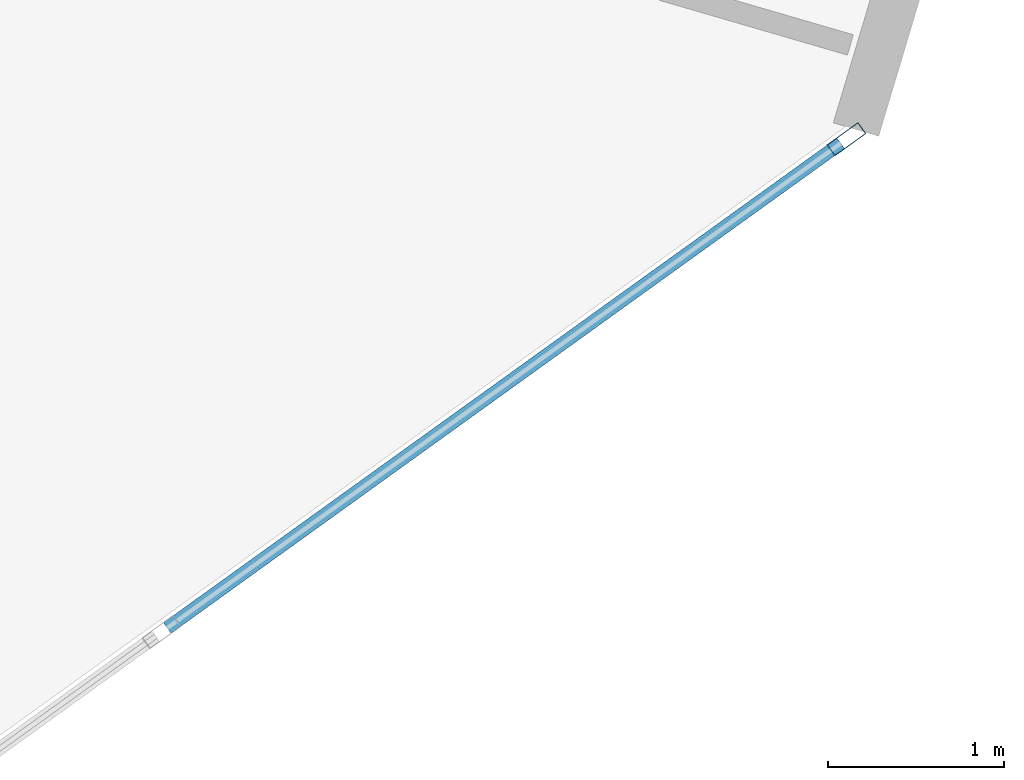
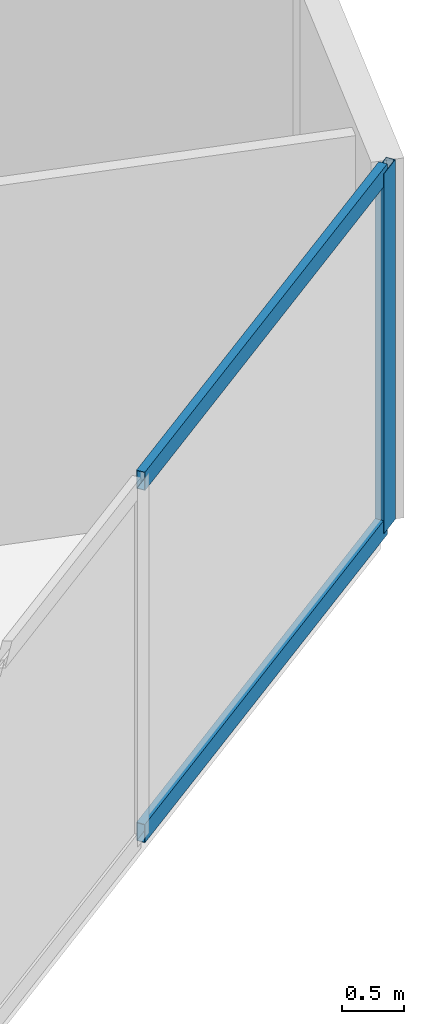
# One storey, part 10 of 22: 3 members, 1 element without a shape of its own.
"""IFC4 building model written with IfcOpenShell, lengths in metres."""

import ifcopenshell
import ifcopenshell.guid

model = None  # the IFC model being written
_history = None  # IfcOwnerHistory: only IFC2X3 demands one
_inside = {}  # id of a spatial element -> (the spatial element, [elements in it])
_under = {}  # id of a project, library or spatial element -> (it, [spatial elements below it])
_declared = {}  # id of a project -> (the project, [libraries it declares])
_typed = {}  # id of a type object -> (the type object, [elements of that type])
_made_of = {}  # id of a material, layer set ... -> (it, [elements and type objects made of it])


def new_model(schema):
    """Start an empty IFC model of exactly this schema.

    Asked for "IFC4X3", IfcOpenShell would pick the latest addendum, in which some entities
    have other attributes; the version numbers below select the first issue.
    IFC2X3 requires an IfcOwnerHistory on every rooted entity: one is made here for all.
    """
    global model, _history
    if schema == "IFC4X3":
        model = ifcopenshell.file(schema_version=(4, 3, 0, 0))
    else:
        model = ifcopenshell.file(schema=schema)
    _inside.clear()
    _under.clear()
    _declared.clear()
    _typed.clear()
    _made_of.clear()
    _history = None
    if model.schema == "IFC2X3":
        org = make("IfcOrganization", Name="unknown")
        user = make(
            "IfcPersonAndOrganization",
            ThePerson=make("IfcPerson", FamilyName="unknown"),
            TheOrganization=org,
        )
        app = make(
            "IfcApplication",
            ApplicationDeveloper=org,
            Version="unknown",
            ApplicationFullName="unknown",
            ApplicationIdentifier="unknown",
        )
        _history = make(
            "IfcOwnerHistory",
            OwningUser=user,
            OwningApplication=app,
            ChangeAction="ADDED",
            CreationDate=0,
        )
    return model


def make(cls, **values):
    """One entity of the class cls with the attributes given. An attribute that is None is left unset."""
    return model.create_entity(
        cls, **{name: value for name, value in values.items() if value is not None}
    )


def rooted(cls, **values):
    """An entity with a GlobalId (a new one), such as an element, a storey or a relation."""
    return make(cls, GlobalId=ifcopenshell.guid.new(), OwnerHistory=_history, **values)


def si_unit(unit_type, name, prefix=None):
    """IfcSIUnit, for example si_unit("LENGTHUNIT", "METRE", prefix="MILLI")."""
    return make("IfcSIUnit", UnitType=unit_type, Prefix=prefix, Name=name)


def assignment(units):
    """IfcUnitAssignment: the units of a project."""
    return None if units is None else make("IfcUnitAssignment", Units=units)


def point(xyz):
    """IfcCartesianPoint."""
    return None if xyz is None else make("IfcCartesianPoint", Coordinates=xyz)


def direction(xyz):
    """IfcDirection."""
    return None if xyz is None else make("IfcDirection", DirectionRatios=xyz)


def frame(location, z_axis=None, x_axis=None):
    """IfcAxis2Placement3D, a coordinate frame: its origin and axes. An axis left out is left unset."""
    return make(
        "IfcAxis2Placement3D",
        Location=point(location),
        Axis=direction(z_axis),
        RefDirection=direction(x_axis),
    )


def frame_2d(location, x_axis=None):
    """IfcAxis2Placement2D, a coordinate frame in the plane: its origin and x axis."""
    return make(
        "IfcAxis2Placement2D", Location=point(location), RefDirection=direction(x_axis)
    )


def origin():
    """The frame at (0, 0, 0) with its axes left unset."""
    return frame((0.0, 0.0, 0.0))


def origin_2d():
    """The frame at (0, 0) in the plane with its x axis left unset."""
    return frame_2d((0.0, 0.0))


def place(relative_to, where):
    """IfcLocalPlacement: puts the frame where relative to a parent placement (None: the world)."""
    return make(
        "IfcLocalPlacement", PlacementRelTo=relative_to, RelativePlacement=where
    )


def context(
    kind, dimensions, precision=None, world=None, true_north=None, identifier=None
):
    """IfcGeometricRepresentationContext, for example the 3D "Model" context."""
    return make(
        "IfcGeometricRepresentationContext",
        ContextIdentifier=identifier,
        ContextType=kind,
        CoordinateSpaceDimension=dimensions,
        Precision=precision,
        WorldCoordinateSystem=world,
        TrueNorth=true_north,
    )


def subcontext(parent, identifier, kind, view, scale=None):
    """IfcGeometricRepresentationSubContext, for example "Body" below "Model"."""
    return make(
        "IfcGeometricRepresentationSubContext",
        ContextIdentifier=identifier,
        ContextType=kind,
        ParentContext=parent,
        TargetScale=scale,
        TargetView=view,
    )


def project(units=None, contexts=None):
    """IfcProject with its units and contexts."""
    return rooted(
        "IfcProject",
        Name="project",
        RepresentationContexts=contexts,
        UnitsInContext=assignment(units),
    )


def spatial(cls, under=None, at=None, **own):
    """A site, building, storey or space (cls), placed at a placement, below another one or the project."""
    s = rooted(cls, ObjectPlacement=at, **own)
    if under is not None:
        _under.setdefault(under.id(), (under, []))[1].append(s)
    return s


def profile(cls, at=None, kind="AREA", **sizes):
    """A parametric profile (cls). Its sizes go by their IFC names, for example OverallWidth=200.0."""
    return make(cls, ProfileType=kind, Position=at, **sizes)


def hollow_rectangle(**sizes):
    """IfcRectangleHollowProfileDef."""
    return profile("IfcRectangleHollowProfileDef", **sizes)


def extrude(swept, where, along, depth):
    """IfcExtrudedAreaSolid: the profile swept, set in the frame where, extruded along a direction by depth."""
    return make(
        "IfcExtrudedAreaSolid",
        SweptArea=swept,
        Position=where,
        ExtrudedDirection=direction(along),
        Depth=depth,
    )


def shape(context_of_items, identifier, shape_type, items):
    """IfcShapeRepresentation: the items that make up one representation, for example the "Body"."""
    return make(
        "IfcShapeRepresentation",
        ContextOfItems=context_of_items,
        RepresentationIdentifier=identifier,
        RepresentationType=shape_type,
        Items=items,
    )


def source(mapping_origin, context_of_items, identifier, shape_type, items):
    """IfcRepresentationMap: a shape defined once, which mapped items show again and again."""
    return make(
        "IfcRepresentationMap",
        MappingOrigin=mapping_origin,
        MappedRepresentation=shape(context_of_items, identifier, shape_type, items),
    )


def transform(
    local_origin,
    x_axis=None,
    y_axis=None,
    z_axis=None,
    scale=None,
    scale2=None,
    scale3=None,
    uniform=True,
):
    """IfcCartesianTransformationOperator3D, or its non-uniform kind. x_axis, y_axis, z_axis: its Axis1, 2, 3."""
    if uniform:
        return make(
            "IfcCartesianTransformationOperator3D",
            Axis1=direction(x_axis),
            Axis2=direction(y_axis),
            LocalOrigin=point(local_origin),
            Scale=scale,
            Axis3=direction(z_axis),
        )
    return make(
        "IfcCartesianTransformationOperator3DnonUniform",
        Axis1=direction(x_axis),
        Axis2=direction(y_axis),
        LocalOrigin=point(local_origin),
        Scale=scale,
        Axis3=direction(z_axis),
        Scale2=scale2,
        Scale3=scale3,
    )


def mapped(mapping_source, mapping_target):
    """IfcMappedItem: shows the shape of a source again, moved by a transform."""
    return make(
        "IfcMappedItem", MappingSource=mapping_source, MappingTarget=mapping_target
    )


def material(Name=None, Category=None):
    """IfcMaterial."""
    return make("IfcMaterial", Name=Name, Category=Category)


def layer(
    of_material, thickness, ventilated=None, Name=None, Category=None, Priority=None
):
    """IfcMaterialLayer: one layer of a wall or slab, of a material (None: an air gap)."""
    return make(
        "IfcMaterialLayer",
        Material=of_material,
        LayerThickness=thickness,
        IsVentilated=ventilated,
        Name=Name,
        Category=Category,
        Priority=Priority,
    )


def layer_set(layers, Name=None):
    """IfcMaterialLayerSet."""
    return make("IfcMaterialLayerSet", MaterialLayers=layers, LayerSetName=Name)


def material_profile(
    of_material, cross_section, Name=None, Category=None, Priority=None
):
    """IfcMaterialProfile: a cross section and its material."""
    return make(
        "IfcMaterialProfile",
        Name=Name,
        Material=of_material,
        Profile=cross_section,
        Priority=Priority,
        Category=Category,
    )


def profile_set(profiles, Name=None, composite=None):
    """IfcMaterialProfileSet."""
    return make(
        "IfcMaterialProfileSet",
        Name=Name,
        MaterialProfiles=profiles,
        CompositeProfile=composite,
    )


def made_of(thing, what):
    """Note that an element or type object is made of a material, layer set ...; save() writes the relation."""
    if what is not None:
        _made_of.setdefault(what.id(), (what, []))[1].append(thing)
    return thing


def type_object(cls, material=None, **own):
    """A type object (cls), such as IfcWallType, which elements share."""
    return made_of(rooted(cls, **own), material)


def type_shapes(of_type, sources):
    """Give a type object the sources (RepresentationMaps) that its elements show as mapped items."""
    of_type.RepresentationMaps = sources


def element(
    cls,
    number,
    at=None,
    inside=None,
    cuts=None,
    type_object=None,
    material=None,
    context=None,
    identifier="Body",
    shape_type=None,
    held_by="IfcProductDefinitionShape",
    body=None,
    shapes=None,
    **own,
):
    """One element of the class cls, such as IfcWall. Its Tag is "e" and its number.

    at: its placement. inside: the storey or other place that contains it. cuts: it is an
    opening in that element (IfcRelVoidsElement). A single representation is given by context,
    identifier, shape_type and body (its items); several are given by shapes. held_by: the class
    of the entity that holds the representations. save() writes the other relations.
    """
    e = rooted(cls, Tag="e%d" % number, ObjectPlacement=at, **own)
    if body is not None:
        shapes = [shape(context, identifier, shape_type, body)]
    if shapes is not None:
        e.Representation = make(held_by, Representations=shapes)
    if inside is not None:
        _inside.setdefault(inside.id(), (inside, []))[1].append(e)
    if cuts is not None:
        rooted(
            "IfcRelVoidsElement", RelatingBuildingElement=cuts, RelatedOpeningElement=e
        )
    if type_object is not None:
        _typed.setdefault(type_object.id(), (type_object, []))[1].append(e)
    return made_of(e, material)


def aggregate(whole, parts):
    """IfcRelAggregates: a whole, such as a stair, and the parts it consists of."""
    return rooted("IfcRelAggregates", RelatingObject=whole, RelatedObjects=parts)


def save(model, path):
    """Write the relations noted so far, then the file.

    IfcRelAggregates (storeys below a building ...), IfcRelContainedInSpatialStructure (elements
    in a storey), IfcRelDefinesByType, IfcRelAssociatesMaterial and IfcRelDeclares: one each for
    every whole, place, type object, material and project.
    """
    for whole, parts in _under.values():
        aggregate(whole, parts)
    for where, things in _inside.values():
        rooted(
            "IfcRelContainedInSpatialStructure",
            RelatedElements=things,
            RelatingStructure=where,
        )
    for kind, things in _typed.values():
        rooted("IfcRelDefinesByType", RelatedObjects=things, RelatingType=kind)
    for what, things in _made_of.values():
        rooted("IfcRelAssociatesMaterial", RelatedObjects=things, RelatingMaterial=what)
    for by, libraries in _declared.values():
        rooted("IfcRelDeclares", RelatingContext=by, RelatedDefinitions=libraries)
    model.write(path)


model = new_model("IFC4")

# Units and contexts
model_context = context("Model", 3, precision=1e-05, world=origin(), true_north=direction((0.0, 1.0)))
body_context = subcontext(model_context, "Body", "Model", "MODEL_VIEW")
ifc_project = project(units=[si_unit("LENGTHUNIT", "METRE"), si_unit("AREAUNIT", "SQUARE_METRE"), si_unit("VOLUMEUNIT", "CUBIC_METRE"), si_unit("PLANEANGLEUNIT", "RADIAN"), si_unit("MASSUNIT", "GRAM", prefix="KILO")], contexts=[model_context])

# Site, building, storey
site_placement = place(None, origin())
site = spatial("IfcSite", under=ifc_project, at=site_placement, CompositionType="ELEMENT")
building_placement = place(site_placement, origin())
building = spatial("IfcBuilding", under=site, at=building_placement, Name="Talar Marvaseh", CompositionType="ELEMENT")
storey_placement = place(building_placement, frame((0.0, 0.0, 65.800048828125)))
storey = spatial("IfcBuildingStorey", under=building, at=storey_placement, Name="L16", CompositionType="ELEMENT", Elevation=65.800048828125)

# Curtain wall, members
ifc_material = material(Name="Architectural Aluminium", Category="aluminium")
ifc_layer = layer(ifc_material, 0.219970703125)
ifc_layer_set = layer_set([ifc_layer], Name="Architectural Aluminium")
curtain_wall_type = type_object("IfcCurtainWallType", Name="Unitised Low-E Museum Curtain Wall Z1", PredefinedType="NOTDEFINED", material=ifc_layer_set)
curtain_wall_placement = place(storey_placement, origin())
curtain_wall = element("IfcCurtainWall", 1, at=curtain_wall_placement, inside=storey, type_object=curtain_wall_type, Name="L16 Unitised Low-E Museum Curtain Wall Z1", PredefinedType="NOTDEFINED")
ifc_material_profile_1 = material_profile(ifc_material, hollow_rectangle(XDim=0.080078125, YDim=0.219970703125, WallThickness=0.0048828125, at=origin_2d()), Name="RHS220x80x5")
ifc_profile_set_1 = profile_set([ifc_material_profile_1], Name="Architectural Aluminium")
member_type_1 = type_object("IfcMemberType", Name="Unitised Curtain Wall Heavy Mullion RHS220x80x5", PredefinedType="MULLION", material=ifc_profile_set_1)
shared_shape_1 = source(origin(), body_context, "Body", "SweptSolid", [
    extrude(hollow_rectangle(XDim=0.080078125, YDim=0.219970703125, WallThickness=0.0048828125, at=origin_2d()), origin(), (0.0, 0.0, 1.0), 3.52001953125),
])
type_shapes(member_type_1, [shared_shape_1])
member_1_placement = place(storey_placement, frame((51.611328125, 24.72314453125, 0.0), z_axis=(0.0, 0.0, 1.0), x_axis=(0.584123119832, -0.811665066932, 0.0)))
member_1 = element("IfcMember", 2, at=member_1_placement, type_object=member_type_1, Name="CW-Z1 mullion 1", PredefinedType="MULLION", context=body_context, shape_type="MappedRepresentation", body=[
    mapped(shared_shape_1, transform((0.0, 0.0, 0.0), x_axis=(1.0, 0.0, 0.0), y_axis=(0.0, 1.0, 0.0), z_axis=(0.0, 0.0, 1.0), scale=1.0)),
])
ifc_material_profile_2 = material_profile(ifc_material, hollow_rectangle(XDim=0.074951171875, YDim=0.179931640625, WallThickness=0.0048828125, at=origin_2d()), Name="RHS180x75x5")
ifc_profile_set_2 = profile_set([ifc_material_profile_2], Name="Architectural Aluminium")
member_type_2 = type_object("IfcMemberType", Name="Unitised Curtain Wall Transom RHS180x75x5", PredefinedType="USERDEFINED", material=ifc_profile_set_2)
shared_shape_2 = source(origin(), body_context, "Body", "SweptSolid", [
    extrude(hollow_rectangle(XDim=0.074951171875, YDim=0.179931640625, WallThickness=0.0048828125, at=origin_2d()), origin(), (0.0, 0.0, 1.0), 4.725341796875),
])
type_shapes(member_type_2, [shared_shape_2])
member_2_placement = place(storey_placement, frame((51.578857421875, 24.699951171875, 0.037353515625), z_axis=(-0.81166171603, -0.584127776031, 0.0), x_axis=(0.584127776031, -0.81166171603, 0.0)))
member_2 = element("IfcMember", 3, at=member_2_placement, type_object=member_type_2, Name="CW-Z1 transom 1.1", ObjectType="TRANSOM", PredefinedType="USERDEFINED", context=body_context, shape_type="MappedRepresentation", body=[
    mapped(shared_shape_2, transform((0.0, 0.0, 0.0), x_axis=(1.0, 0.0, 0.0), y_axis=(0.0, 1.0, 0.0), z_axis=(0.0, 0.0, 1.0), scale=1.0)),
])
member_3_placement = place(storey_placement, frame((51.578857421875, 24.699951171875, 3.482421875), z_axis=(-0.81166171603, -0.584127776031, 0.0), x_axis=(0.584127776031, -0.81166171603, 0.0)))
member_3 = element("IfcMember", 4, at=member_3_placement, type_object=member_type_2, Name="CW-Z1 transom 1.2", ObjectType="TRANSOM", PredefinedType="USERDEFINED", context=body_context, shape_type="MappedRepresentation", body=[
    mapped(shared_shape_2, transform((0.0, 0.0, 0.0), x_axis=(1.0, 0.0, 0.0), y_axis=(0.0, 1.0, 0.0), z_axis=(0.0, 0.0, 1.0), scale=1.0)),
])
aggregate(curtain_wall, [member_1, member_2, member_3])

save(model, "model.ifc")
